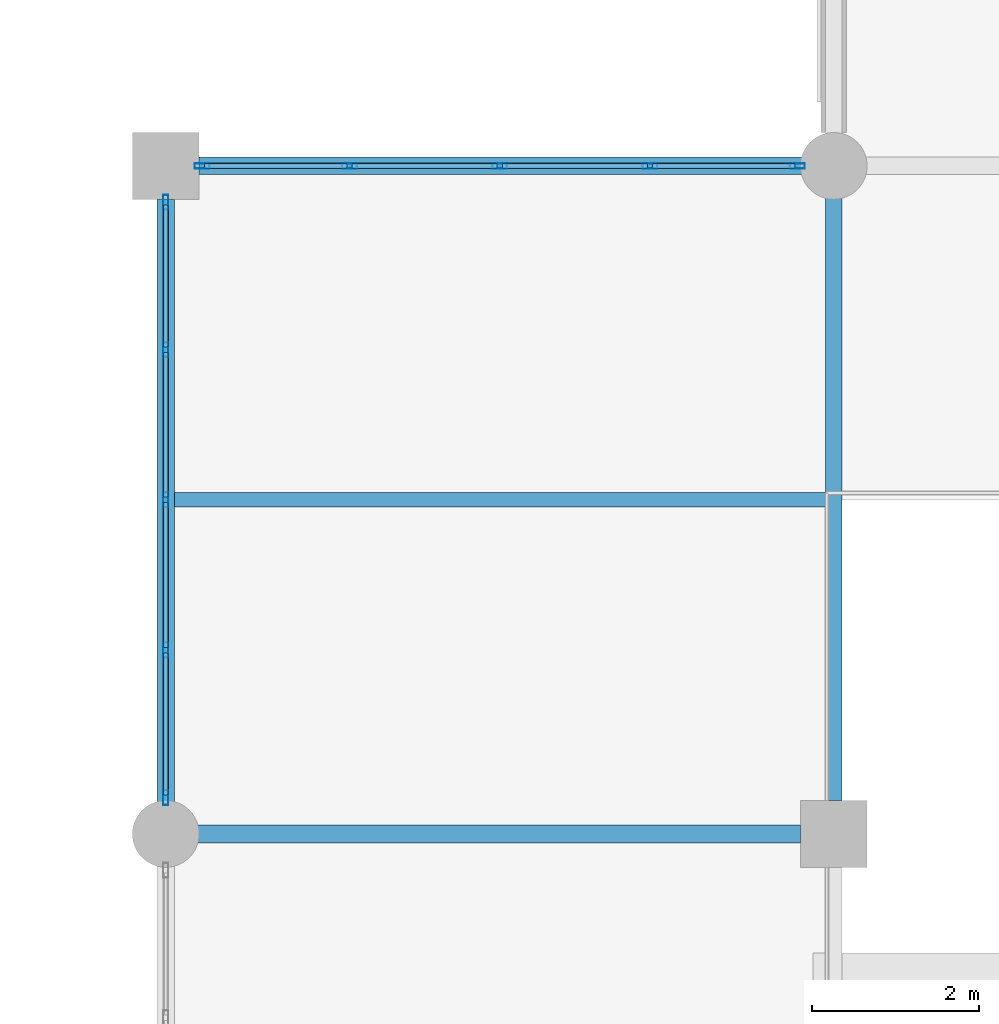
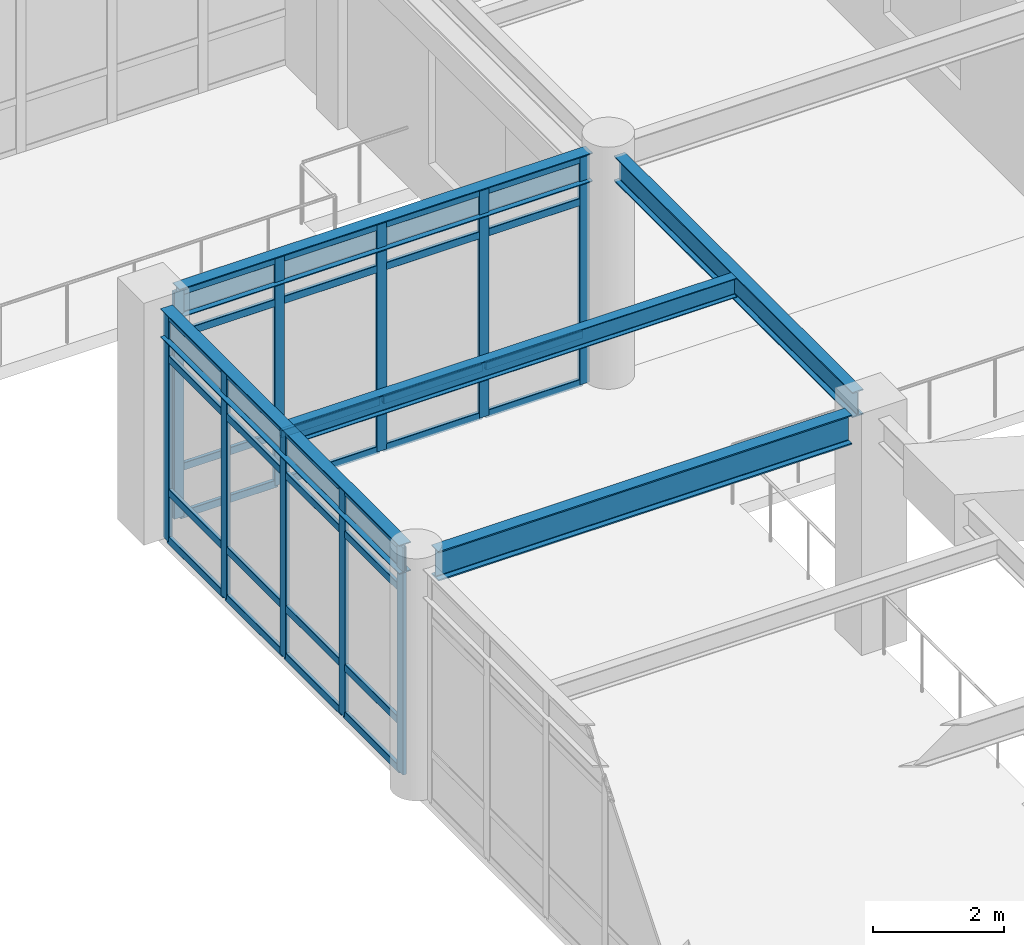
# One storey, part 42 of 111: 42 members, 5 beams, 2 elements without a shape of their own.
"""IFC4 building model written with IfcOpenShell, lengths in metres."""

from ifc_helpers import new_model, si_unit, direction, frame, origin, origin_2d, place, context, subcontext, project, spatial, hollow_rectangle, i_section, extrude, material, material_profile, profile_set, type_object, element, aggregate, save


model = new_model("IFC4")

# Units and contexts
model_context = context("Model", 3, precision=1e-05, world=origin(), true_north=direction((0.0, 1.0)))
body_context = subcontext(model_context, "Body", "Model", "MODEL_VIEW")
ifc_project = project(units=[si_unit("LENGTHUNIT", "METRE"), si_unit("AREAUNIT", "SQUARE_METRE"), si_unit("VOLUMEUNIT", "CUBIC_METRE"), si_unit("PLANEANGLEUNIT", "RADIAN"), si_unit("MASSUNIT", "GRAM", prefix="KILO")], contexts=[model_context])

# Site, building, storey
site_placement = place(None, origin())
site = spatial("IfcSite", under=ifc_project, at=site_placement, CompositionType="ELEMENT")
building_placement = place(site_placement, origin())
building = spatial("IfcBuilding", under=site, at=building_placement, Name="Solmirada Galleria", CompositionType="ELEMENT")
storey_placement = place(building_placement, frame((0.0, 0.0, 10.39990234375)))
storey = spatial("IfcBuildingStorey", under=building, at=storey_placement, Name="L02", CompositionType="ELEMENT", Elevation=10.39990234375)

# Beams
ifc_material_1 = material(Name="Steel S355 / ASTM A992 Grade 50", Category="steel")
ifc_material_profile_1 = material_profile(ifc_material_1, i_section(OverallWidth=0.194091796875, OverallDepth=0.468994140625, WebThickness=0.0126953125, FlangeThickness=0.0205078125, FilletRadius=0.013916015625, at=origin_2d()), Name="W18X71")
ifc_profile_set_1 = profile_set([ifc_material_profile_1], Name="Steel S355 / ASTM A992 Grade 50")
beam_type_1 = type_object("IfcBeamType", Name="BM-GIRD-W18B", PredefinedType="BEAM", material=ifc_profile_set_1)
beam_1_placement = place(storey_placement, frame((88.0, 64.39990234375, 4.065673828125), z_axis=(0.0, 1.0, 0.0), x_axis=(-1.0, 0.0, 0.0)))
element("IfcBeam", 1, at=beam_1_placement, inside=storey, type_object=beam_type_1, Name="Primary girder L03 Y(88, 64..72)", PredefinedType="BEAM", context=body_context, shape_type="SweptSolid", body=[
    extrude(i_section(OverallWidth=0.194091796875, OverallDepth=0.468994140625, WebThickness=0.0126953125, FlangeThickness=0.0205078125, FilletRadius=0.013916015625, at=origin_2d()), origin(), (0.0, 0.0, 1.0), 7.26416015625),
])
ifc_material_profile_2 = material_profile(ifc_material_1, i_section(OverallWidth=0.214111328125, OverallDepth=0.549072265625, WebThickness=0.0146484375, FlangeThickness=0.023681640625, FilletRadius=0.014892578125, at=origin_2d()), Name="W21X93")
ifc_profile_set_2 = profile_set([ifc_material_profile_2], Name="Steel S355 / ASTM A992 Grade 50")
beam_type_2 = type_object("IfcBeamType", Name="BM-GIRD-W21A", PredefinedType="BEAM", material=ifc_profile_set_2)
beam_2_placement = place(storey_placement, frame((80.3359375, 64.0, 4.025634765625), z_axis=(1.0, 0.0, 0.0), x_axis=(0.0, 1.0, 0.0)))
element("IfcBeam", 2, at=beam_2_placement, inside=storey, type_object=beam_type_2, Name="Primary beam L03 X(80..88, 64)", PredefinedType="BEAM", context=body_context, shape_type="SweptSolid", body=[
    extrude(i_section(OverallWidth=0.214111328125, OverallDepth=0.549072265625, WebThickness=0.0146484375, FlangeThickness=0.023681640625, FilletRadius=0.014892578125, at=origin_2d()), origin(), (0.0, 0.0, 1.0), 7.26416015625),
])
ifc_material_profile_3 = material_profile(ifc_material_1, i_section(OverallWidth=0.2099609375, OverallDepth=0.537109375, WebThickness=0.010986328125, FlangeThickness=0.017333984375, FilletRadius=0.014892578125, at=origin_2d()), Name="W21X68")
ifc_profile_set_3 = profile_set([ifc_material_profile_3], Name="Steel S355 / ASTM A992 Grade 50")
beam_type_3 = type_object("IfcBeamType", Name="BM-GIRD-W21B", PredefinedType="BEAM", material=ifc_profile_set_3)
for number, where, z_axis, x_axis, name in (
    (3, (80.39990234375, 72.0, 4.031494140625), (1.0, 0.0, 0.0), (0.0, 1.0, 0.0), "Primary beam L03 X(80..88, 72)"),
    (4, (80.0, 64.3359375, 4.031494140625), (0.0, 1.0, 0.0), (-1.0, 0.0, 0.0), "Primary girder L03 Y(80, 64..72)"),
):
    element("IfcBeam", number, at=place(storey_placement, frame(where, z_axis=z_axis, x_axis=x_axis)), inside=storey, type_object=beam_type_3, Name=name, PredefinedType="BEAM", context=body_context, shape_type="SweptSolid", body=[
        extrude(i_section(OverallWidth=0.2099609375, OverallDepth=0.537109375, WebThickness=0.010986328125, FlangeThickness=0.017333984375, FilletRadius=0.014892578125, at=origin_2d()), origin(), (0.0, 0.0, 1.0), 7.26416015625),
    ])
ifc_material_profile_4 = material_profile(ifc_material_1, i_section(OverallWidth=0.172119140625, OverallDepth=0.35791015625, WebThickness=0.0078125, FlangeThickness=0.01318359375, FilletRadius=0.011962890625, at=origin_2d()), Name="W14X38")
ifc_profile_set_4 = profile_set([ifc_material_profile_4], Name="Steel S355 / ASTM A992 Grade 50")
beam_type_4 = type_object("IfcBeamType", Name="BM-JST-W14A", PredefinedType="JOIST", material=ifc_profile_set_4)
beam_3_placement = place(storey_placement, frame((80.10498046875, 68.0, 4.12109375), z_axis=(1.0, 0.0, 0.0), x_axis=(0.0, 1.0, 0.0)))
element("IfcBeam", 5, at=beam_3_placement, inside=storey, type_object=beam_type_4, Name="Composite floor joist L03 (80..88, 68.0)", PredefinedType="JOIST", context=body_context, shape_type="SweptSolid", body=[
    extrude(i_section(OverallWidth=0.172119140625, OverallDepth=0.35791015625, WebThickness=0.0078125, FlangeThickness=0.01318359375, FilletRadius=0.011962890625, at=origin_2d()), origin(), (0.0, 0.0, 1.0), 7.798095703125),
])

# Curtain wall, members
ifc_material_2 = material(Name="Impact-resistant low-E double glazing", Category="glass")
curtain_wall_type = type_object("IfcCurtainWallType", Name="CW-FZ3-L02-B4-L072", PredefinedType="NOTDEFINED", material=ifc_material_2)
curtain_wall_1_placement = place(storey_placement, origin())
curtain_wall_1 = element("IfcCurtainWall", 6, at=curtain_wall_1_placement, inside=storey, type_object=curtain_wall_type, Name="Terrace and arcade storefront CW-L02-086", PredefinedType="NOTDEFINED")
ifc_material_3 = material(Name="Anodised aluminium framing", Category="aluminium")
ifc_material_profile_5 = material_profile(ifc_material_3, hollow_rectangle(XDim=0.06494140625, YDim=0.179931640625, WallThickness=0.00390625, InnerFilletRadius=0.00390625, OuterFilletRadius=0.008056640625, at=origin_2d()), Name="ALU-MULL-180X65")
ifc_profile_set_5 = profile_set([ifc_material_profile_5], Name="Anodised aluminium framing")
member_type_1 = type_object("IfcMemberType", Name="CW-MULL-180", PredefinedType="MULLION", material=ifc_profile_set_5)
member_1_placement = place(storey_placement, frame((80.0, 64.4345703125, 0.0), z_axis=(0.0, 0.0, 1.0), x_axis=(-1.0, 0.0, 0.0)))
member_1 = element("IfcMember", 7, at=member_1_placement, type_object=member_type_1, Name="CW21 mullion 1", PredefinedType="MULLION", context=body_context, shape_type="SweptSolid", body=[
    extrude(hollow_rectangle(XDim=0.06494140625, YDim=0.179931640625, WallThickness=0.00390625, InnerFilletRadius=0.00390625, OuterFilletRadius=0.008056640625, at=origin_2d()), origin(), (0.0, 0.0, 1.0), 4.22021484375),
])
member_2_placement = place(storey_placement, frame((80.0, 66.200927734375, 0.0), z_axis=(0.0, 0.0, 1.0), x_axis=(-1.0, 0.0, 0.0)))
member_2 = element("IfcMember", 8, at=member_2_placement, type_object=member_type_1, Name="CW21 mullion 2", PredefinedType="MULLION", context=body_context, shape_type="SweptSolid", body=[
    extrude(hollow_rectangle(XDim=0.06494140625, YDim=0.179931640625, WallThickness=0.00390625, InnerFilletRadius=0.00390625, OuterFilletRadius=0.008056640625, at=origin_2d()), origin(), (0.0, 0.0, 1.0), 4.22021484375),
])
member_3_placement = place(storey_placement, frame((80.0, 68.0, 0.0), z_axis=(0.0, 0.0, 1.0), x_axis=(-1.0, 0.0, 0.0)))
member_3 = element("IfcMember", 9, at=member_3_placement, type_object=member_type_1, Name="CW21 mullion 3", PredefinedType="MULLION", context=body_context, shape_type="SweptSolid", body=[
    extrude(hollow_rectangle(XDim=0.06494140625, YDim=0.179931640625, WallThickness=0.00390625, InnerFilletRadius=0.00390625, OuterFilletRadius=0.008056640625, at=origin_2d()), origin(), (0.0, 0.0, 1.0), 4.22021484375),
])
member_4_placement = place(storey_placement, frame((80.0, 69.799072265625, 0.0), z_axis=(0.0, 0.0, 1.0), x_axis=(-1.0, 0.0, 0.0)))
member_4 = element("IfcMember", 10, at=member_4_placement, type_object=member_type_1, Name="CW21 mullion 4", PredefinedType="MULLION", context=body_context, shape_type="SweptSolid", body=[
    extrude(hollow_rectangle(XDim=0.06494140625, YDim=0.179931640625, WallThickness=0.00390625, InnerFilletRadius=0.00390625, OuterFilletRadius=0.008056640625, at=origin_2d()), origin(), (0.0, 0.0, 1.0), 4.22021484375),
])
member_5_placement = place(storey_placement, frame((80.0, 71.5654296875, 0.0), z_axis=(0.0, 0.0, 1.0), x_axis=(-1.0, 0.0, 0.0)))
member_5 = element("IfcMember", 11, at=member_5_placement, type_object=member_type_1, Name="CW21 mullion 5", PredefinedType="MULLION", context=body_context, shape_type="SweptSolid", body=[
    extrude(hollow_rectangle(XDim=0.06494140625, YDim=0.179931640625, WallThickness=0.00390625, InnerFilletRadius=0.00390625, OuterFilletRadius=0.008056640625, at=origin_2d()), origin(), (0.0, 0.0, 1.0), 4.22021484375),
])

curtain_wall_2_placement = place(storey_placement, origin())
curtain_wall_2 = element("IfcCurtainWall", 12, at=curtain_wall_2_placement, inside=storey, type_object=curtain_wall_type, Name="Terrace and arcade storefront CW-L02-087", PredefinedType="NOTDEFINED")
member_6_placement = place(storey_placement, frame((80.4345703125, 72.0, 0.0), z_axis=(0.0, 0.0, 1.0), x_axis=(0.0, 1.0, 0.0)))
member_6 = element("IfcMember", 13, at=member_6_placement, type_object=member_type_1, Name="CW21 mullion 1", PredefinedType="MULLION", context=body_context, shape_type="SweptSolid", body=[
    extrude(hollow_rectangle(XDim=0.06494140625, YDim=0.179931640625, WallThickness=0.00390625, InnerFilletRadius=0.00390625, OuterFilletRadius=0.008056640625, at=origin_2d()), origin(), (0.0, 0.0, 1.0), 4.22021484375),
])
member_7_placement = place(storey_placement, frame((82.200927734375, 72.0, 0.0), z_axis=(0.0, 0.0, 1.0), x_axis=(0.0, 1.0, 0.0)))
member_7 = element("IfcMember", 14, at=member_7_placement, type_object=member_type_1, Name="CW21 mullion 2", PredefinedType="MULLION", context=body_context, shape_type="SweptSolid", body=[
    extrude(hollow_rectangle(XDim=0.06494140625, YDim=0.179931640625, WallThickness=0.00390625, InnerFilletRadius=0.00390625, OuterFilletRadius=0.008056640625, at=origin_2d()), origin(), (0.0, 0.0, 1.0), 4.22021484375),
])
member_8_placement = place(storey_placement, frame((84.0, 72.0, 0.0), z_axis=(0.0, 0.0, 1.0), x_axis=(0.0, 1.0, 0.0)))
member_8 = element("IfcMember", 15, at=member_8_placement, type_object=member_type_1, Name="CW21 mullion 3", PredefinedType="MULLION", context=body_context, shape_type="SweptSolid", body=[
    extrude(hollow_rectangle(XDim=0.06494140625, YDim=0.179931640625, WallThickness=0.00390625, InnerFilletRadius=0.00390625, OuterFilletRadius=0.008056640625, at=origin_2d()), origin(), (0.0, 0.0, 1.0), 4.22021484375),
])
member_9_placement = place(storey_placement, frame((85.799072265625, 72.0, 0.0), z_axis=(0.0, 0.0, 1.0), x_axis=(0.0, 1.0, 0.0)))
member_9 = element("IfcMember", 16, at=member_9_placement, type_object=member_type_1, Name="CW21 mullion 4", PredefinedType="MULLION", context=body_context, shape_type="SweptSolid", body=[
    extrude(hollow_rectangle(XDim=0.06494140625, YDim=0.179931640625, WallThickness=0.00390625, InnerFilletRadius=0.00390625, OuterFilletRadius=0.008056640625, at=origin_2d()), origin(), (0.0, 0.0, 1.0), 4.22021484375),
])
member_10_placement = place(storey_placement, frame((87.5654296875, 72.0, 0.0), z_axis=(0.0, 0.0, 1.0), x_axis=(0.0, 1.0, 0.0)))
member_10 = element("IfcMember", 17, at=member_10_placement, type_object=member_type_1, Name="CW21 mullion 5", PredefinedType="MULLION", context=body_context, shape_type="SweptSolid", body=[
    extrude(hollow_rectangle(XDim=0.06494140625, YDim=0.179931640625, WallThickness=0.00390625, InnerFilletRadius=0.00390625, OuterFilletRadius=0.008056640625, at=origin_2d()), origin(), (0.0, 0.0, 1.0), 4.22021484375),
])

# Member
ifc_material_profile_6 = material_profile(ifc_material_3, hollow_rectangle(XDim=0.06494140625, YDim=0.139892578125, WallThickness=0.00341796875, InnerFilletRadius=0.00341796875, OuterFilletRadius=0.007080078125, at=origin_2d()), Name="ALU-TRAN-140X65")
ifc_profile_set_6 = profile_set([ifc_material_profile_6], Name="Anodised aluminium framing")
member_type_2 = type_object("IfcMemberType", Name="CW-TRAN-140", PredefinedType="USERDEFINED", material=ifc_profile_set_6)
member_11_placement = place(storey_placement, frame((80.0, 64.467041015625, 0.03271484375), z_axis=(0.0, 1.0, 0.0), x_axis=(-1.0, 0.0, 0.0)))
member_11 = element("IfcMember", 18, at=member_11_placement, type_object=member_type_2, Name="CW21 transom 1.1", ObjectType="TRANSOM", PredefinedType="USERDEFINED", context=body_context, shape_type="SweptSolid", body=[
    extrude(hollow_rectangle(XDim=0.06494140625, YDim=0.139892578125, WallThickness=0.00341796875, InnerFilletRadius=0.00341796875, OuterFilletRadius=0.007080078125, at=origin_2d()), origin(), (0.0, 0.0, 1.0), 1.701416015625),
])

member_12_placement = place(storey_placement, frame((80.0, 64.467041015625, 0.920166015625), z_axis=(0.0, 1.0, 0.0), x_axis=(-1.0, 0.0, 0.0)))
member_12 = element("IfcMember", 19, at=member_12_placement, type_object=member_type_2, Name="CW21 transom 1.2", ObjectType="TRANSOM", PredefinedType="USERDEFINED", context=body_context, shape_type="SweptSolid", body=[
    extrude(hollow_rectangle(XDim=0.06494140625, YDim=0.139892578125, WallThickness=0.00341796875, InnerFilletRadius=0.00341796875, OuterFilletRadius=0.007080078125, at=origin_2d()), origin(), (0.0, 0.0, 1.0), 1.701416015625),
])

member_13_placement = place(storey_placement, frame((80.0, 64.467041015625, 3.400146484375), z_axis=(0.0, 1.0, 0.0), x_axis=(-1.0, 0.0, 0.0)))
member_13 = element("IfcMember", 20, at=member_13_placement, type_object=member_type_2, Name="CW21 transom 1.3", ObjectType="TRANSOM", PredefinedType="USERDEFINED", context=body_context, shape_type="SweptSolid", body=[
    extrude(hollow_rectangle(XDim=0.06494140625, YDim=0.139892578125, WallThickness=0.00341796875, InnerFilletRadius=0.00341796875, OuterFilletRadius=0.007080078125, at=origin_2d()), origin(), (0.0, 0.0, 1.0), 1.701416015625),
])

member_14_placement = place(storey_placement, frame((80.0, 64.467041015625, 4.1875), z_axis=(0.0, 1.0, 0.0), x_axis=(-1.0, 0.0, 0.0)))
member_14 = element("IfcMember", 21, at=member_14_placement, type_object=member_type_2, Name="CW21 transom 1.4", ObjectType="TRANSOM", PredefinedType="USERDEFINED", context=body_context, shape_type="SweptSolid", body=[
    extrude(hollow_rectangle(XDim=0.06494140625, YDim=0.139892578125, WallThickness=0.00341796875, InnerFilletRadius=0.00341796875, OuterFilletRadius=0.007080078125, at=origin_2d()), origin(), (0.0, 0.0, 1.0), 1.701416015625),
])

member_15_placement = place(storey_placement, frame((80.0, 66.2333984375, 0.03271484375), z_axis=(0.0, 1.0, 0.0), x_axis=(-1.0, 0.0, 0.0)))
member_15 = element("IfcMember", 22, at=member_15_placement, type_object=member_type_2, Name="CW21 transom 2.1", ObjectType="TRANSOM", PredefinedType="USERDEFINED", context=body_context, shape_type="SweptSolid", body=[
    extrude(hollow_rectangle(XDim=0.06494140625, YDim=0.139892578125, WallThickness=0.00341796875, InnerFilletRadius=0.00341796875, OuterFilletRadius=0.007080078125, at=origin_2d()), origin(), (0.0, 0.0, 1.0), 1.734130859375),
])

member_16_placement = place(storey_placement, frame((80.0, 66.2333984375, 0.920166015625), z_axis=(0.0, 1.0, 0.0), x_axis=(-1.0, 0.0, 0.0)))
member_16 = element("IfcMember", 23, at=member_16_placement, type_object=member_type_2, Name="CW21 transom 2.2", ObjectType="TRANSOM", PredefinedType="USERDEFINED", context=body_context, shape_type="SweptSolid", body=[
    extrude(hollow_rectangle(XDim=0.06494140625, YDim=0.139892578125, WallThickness=0.00341796875, InnerFilletRadius=0.00341796875, OuterFilletRadius=0.007080078125, at=origin_2d()), origin(), (0.0, 0.0, 1.0), 1.734130859375),
])

member_17_placement = place(storey_placement, frame((80.0, 66.2333984375, 3.400146484375), z_axis=(0.0, 1.0, 0.0), x_axis=(-1.0, 0.0, 0.0)))
member_17 = element("IfcMember", 24, at=member_17_placement, type_object=member_type_2, Name="CW21 transom 2.3", ObjectType="TRANSOM", PredefinedType="USERDEFINED", context=body_context, shape_type="SweptSolid", body=[
    extrude(hollow_rectangle(XDim=0.06494140625, YDim=0.139892578125, WallThickness=0.00341796875, InnerFilletRadius=0.00341796875, OuterFilletRadius=0.007080078125, at=origin_2d()), origin(), (0.0, 0.0, 1.0), 1.734130859375),
])

member_18_placement = place(storey_placement, frame((80.0, 66.2333984375, 4.1875), z_axis=(0.0, 1.0, 0.0), x_axis=(-1.0, 0.0, 0.0)))
member_18 = element("IfcMember", 25, at=member_18_placement, type_object=member_type_2, Name="CW21 transom 2.4", ObjectType="TRANSOM", PredefinedType="USERDEFINED", context=body_context, shape_type="SweptSolid", body=[
    extrude(hollow_rectangle(XDim=0.06494140625, YDim=0.139892578125, WallThickness=0.00341796875, InnerFilletRadius=0.00341796875, OuterFilletRadius=0.007080078125, at=origin_2d()), origin(), (0.0, 0.0, 1.0), 1.734130859375),
])

member_19_placement = place(storey_placement, frame((80.0, 68.032470703125, 0.03271484375), z_axis=(0.0, 1.0, 0.0), x_axis=(-1.0, 0.0, 0.0)))
member_19 = element("IfcMember", 26, at=member_19_placement, type_object=member_type_2, Name="CW21 transom 3.1", ObjectType="TRANSOM", PredefinedType="USERDEFINED", context=body_context, shape_type="SweptSolid", body=[
    extrude(hollow_rectangle(XDim=0.06494140625, YDim=0.139892578125, WallThickness=0.00341796875, InnerFilletRadius=0.00341796875, OuterFilletRadius=0.007080078125, at=origin_2d()), origin(), (0.0, 0.0, 1.0), 1.734130859375),
])

member_20_placement = place(storey_placement, frame((80.0, 68.032470703125, 0.920166015625), z_axis=(0.0, 1.0, 0.0), x_axis=(-1.0, 0.0, 0.0)))
member_20 = element("IfcMember", 27, at=member_20_placement, type_object=member_type_2, Name="CW21 transom 3.2", ObjectType="TRANSOM", PredefinedType="USERDEFINED", context=body_context, shape_type="SweptSolid", body=[
    extrude(hollow_rectangle(XDim=0.06494140625, YDim=0.139892578125, WallThickness=0.00341796875, InnerFilletRadius=0.00341796875, OuterFilletRadius=0.007080078125, at=origin_2d()), origin(), (0.0, 0.0, 1.0), 1.734130859375),
])

member_21_placement = place(storey_placement, frame((80.0, 68.032470703125, 3.400146484375), z_axis=(0.0, 1.0, 0.0), x_axis=(-1.0, 0.0, 0.0)))
member_21 = element("IfcMember", 28, at=member_21_placement, type_object=member_type_2, Name="CW21 transom 3.3", ObjectType="TRANSOM", PredefinedType="USERDEFINED", context=body_context, shape_type="SweptSolid", body=[
    extrude(hollow_rectangle(XDim=0.06494140625, YDim=0.139892578125, WallThickness=0.00341796875, InnerFilletRadius=0.00341796875, OuterFilletRadius=0.007080078125, at=origin_2d()), origin(), (0.0, 0.0, 1.0), 1.734130859375),
])

member_22_placement = place(storey_placement, frame((80.0, 68.032470703125, 4.1875), z_axis=(0.0, 1.0, 0.0), x_axis=(-1.0, 0.0, 0.0)))
member_22 = element("IfcMember", 29, at=member_22_placement, type_object=member_type_2, Name="CW21 transom 3.4", ObjectType="TRANSOM", PredefinedType="USERDEFINED", context=body_context, shape_type="SweptSolid", body=[
    extrude(hollow_rectangle(XDim=0.06494140625, YDim=0.139892578125, WallThickness=0.00341796875, InnerFilletRadius=0.00341796875, OuterFilletRadius=0.007080078125, at=origin_2d()), origin(), (0.0, 0.0, 1.0), 1.734130859375),
])

member_23_placement = place(storey_placement, frame((80.0, 69.83154296875, 0.03271484375), z_axis=(0.0, 1.0, 0.0), x_axis=(-1.0, 0.0, 0.0)))
member_23 = element("IfcMember", 30, at=member_23_placement, type_object=member_type_2, Name="CW21 transom 4.1", ObjectType="TRANSOM", PredefinedType="USERDEFINED", context=body_context, shape_type="SweptSolid", body=[
    extrude(hollow_rectangle(XDim=0.06494140625, YDim=0.139892578125, WallThickness=0.00341796875, InnerFilletRadius=0.00341796875, OuterFilletRadius=0.007080078125, at=origin_2d()), origin(), (0.0, 0.0, 1.0), 1.701416015625),
])

member_24_placement = place(storey_placement, frame((80.0, 69.83154296875, 0.920166015625), z_axis=(0.0, 1.0, 0.0), x_axis=(-1.0, 0.0, 0.0)))
member_24 = element("IfcMember", 31, at=member_24_placement, type_object=member_type_2, Name="CW21 transom 4.2", ObjectType="TRANSOM", PredefinedType="USERDEFINED", context=body_context, shape_type="SweptSolid", body=[
    extrude(hollow_rectangle(XDim=0.06494140625, YDim=0.139892578125, WallThickness=0.00341796875, InnerFilletRadius=0.00341796875, OuterFilletRadius=0.007080078125, at=origin_2d()), origin(), (0.0, 0.0, 1.0), 1.701416015625),
])

member_25_placement = place(storey_placement, frame((80.0, 69.83154296875, 3.400146484375), z_axis=(0.0, 1.0, 0.0), x_axis=(-1.0, 0.0, 0.0)))
member_25 = element("IfcMember", 32, at=member_25_placement, type_object=member_type_2, Name="CW21 transom 4.3", ObjectType="TRANSOM", PredefinedType="USERDEFINED", context=body_context, shape_type="SweptSolid", body=[
    extrude(hollow_rectangle(XDim=0.06494140625, YDim=0.139892578125, WallThickness=0.00341796875, InnerFilletRadius=0.00341796875, OuterFilletRadius=0.007080078125, at=origin_2d()), origin(), (0.0, 0.0, 1.0), 1.701416015625),
])

member_26_placement = place(storey_placement, frame((80.0, 69.83154296875, 4.1875), z_axis=(0.0, 1.0, 0.0), x_axis=(-1.0, 0.0, 0.0)))
member_26 = element("IfcMember", 33, at=member_26_placement, type_object=member_type_2, Name="CW21 transom 4.4", ObjectType="TRANSOM", PredefinedType="USERDEFINED", context=body_context, shape_type="SweptSolid", body=[
    extrude(hollow_rectangle(XDim=0.06494140625, YDim=0.139892578125, WallThickness=0.00341796875, InnerFilletRadius=0.00341796875, OuterFilletRadius=0.007080078125, at=origin_2d()), origin(), (0.0, 0.0, 1.0), 1.701416015625),
])

aggregate(curtain_wall_1, [member_1, member_2, member_3, member_4, member_5, member_11, member_12, member_13, member_14, member_15, member_16, member_17, member_18, member_19, member_20, member_21, member_22, member_23, member_24, member_25, member_26])

member_27_placement = place(storey_placement, frame((80.467041015625, 72.0, 0.03271484375), z_axis=(1.0, 0.0, 0.0), x_axis=(0.0, 1.0, 0.0)))
member_27 = element("IfcMember", 34, at=member_27_placement, type_object=member_type_2, Name="CW21 transom 1.1", ObjectType="TRANSOM", PredefinedType="USERDEFINED", context=body_context, shape_type="SweptSolid", body=[
    extrude(hollow_rectangle(XDim=0.06494140625, YDim=0.139892578125, WallThickness=0.00341796875, InnerFilletRadius=0.00341796875, OuterFilletRadius=0.007080078125, at=origin_2d()), origin(), (0.0, 0.0, 1.0), 1.701416015625),
])

member_28_placement = place(storey_placement, frame((80.467041015625, 72.0, 0.920166015625), z_axis=(1.0, 0.0, 0.0), x_axis=(0.0, 1.0, 0.0)))
member_28 = element("IfcMember", 35, at=member_28_placement, type_object=member_type_2, Name="CW21 transom 1.2", ObjectType="TRANSOM", PredefinedType="USERDEFINED", context=body_context, shape_type="SweptSolid", body=[
    extrude(hollow_rectangle(XDim=0.06494140625, YDim=0.139892578125, WallThickness=0.00341796875, InnerFilletRadius=0.00341796875, OuterFilletRadius=0.007080078125, at=origin_2d()), origin(), (0.0, 0.0, 1.0), 1.701416015625),
])

member_29_placement = place(storey_placement, frame((80.467041015625, 72.0, 3.400146484375), z_axis=(1.0, 0.0, 0.0), x_axis=(0.0, 1.0, 0.0)))
member_29 = element("IfcMember", 36, at=member_29_placement, type_object=member_type_2, Name="CW21 transom 1.3", ObjectType="TRANSOM", PredefinedType="USERDEFINED", context=body_context, shape_type="SweptSolid", body=[
    extrude(hollow_rectangle(XDim=0.06494140625, YDim=0.139892578125, WallThickness=0.00341796875, InnerFilletRadius=0.00341796875, OuterFilletRadius=0.007080078125, at=origin_2d()), origin(), (0.0, 0.0, 1.0), 1.701416015625),
])

member_30_placement = place(storey_placement, frame((80.467041015625, 72.0, 4.1875), z_axis=(1.0, 0.0, 0.0), x_axis=(0.0, 1.0, 0.0)))
member_30 = element("IfcMember", 37, at=member_30_placement, type_object=member_type_2, Name="CW21 transom 1.4", ObjectType="TRANSOM", PredefinedType="USERDEFINED", context=body_context, shape_type="SweptSolid", body=[
    extrude(hollow_rectangle(XDim=0.06494140625, YDim=0.139892578125, WallThickness=0.00341796875, InnerFilletRadius=0.00341796875, OuterFilletRadius=0.007080078125, at=origin_2d()), origin(), (0.0, 0.0, 1.0), 1.701416015625),
])

member_31_placement = place(storey_placement, frame((82.2333984375, 72.0, 0.03271484375), z_axis=(1.0, 0.0, 0.0), x_axis=(0.0, 1.0, 0.0)))
member_31 = element("IfcMember", 38, at=member_31_placement, type_object=member_type_2, Name="CW21 transom 2.1", ObjectType="TRANSOM", PredefinedType="USERDEFINED", context=body_context, shape_type="SweptSolid", body=[
    extrude(hollow_rectangle(XDim=0.06494140625, YDim=0.139892578125, WallThickness=0.00341796875, InnerFilletRadius=0.00341796875, OuterFilletRadius=0.007080078125, at=origin_2d()), origin(), (0.0, 0.0, 1.0), 1.734130859375),
])

member_32_placement = place(storey_placement, frame((82.2333984375, 72.0, 0.920166015625), z_axis=(1.0, 0.0, 0.0), x_axis=(0.0, 1.0, 0.0)))
member_32 = element("IfcMember", 39, at=member_32_placement, type_object=member_type_2, Name="CW21 transom 2.2", ObjectType="TRANSOM", PredefinedType="USERDEFINED", context=body_context, shape_type="SweptSolid", body=[
    extrude(hollow_rectangle(XDim=0.06494140625, YDim=0.139892578125, WallThickness=0.00341796875, InnerFilletRadius=0.00341796875, OuterFilletRadius=0.007080078125, at=origin_2d()), origin(), (0.0, 0.0, 1.0), 1.734130859375),
])

member_33_placement = place(storey_placement, frame((82.2333984375, 72.0, 3.400146484375), z_axis=(1.0, 0.0, 0.0), x_axis=(0.0, 1.0, 0.0)))
member_33 = element("IfcMember", 40, at=member_33_placement, type_object=member_type_2, Name="CW21 transom 2.3", ObjectType="TRANSOM", PredefinedType="USERDEFINED", context=body_context, shape_type="SweptSolid", body=[
    extrude(hollow_rectangle(XDim=0.06494140625, YDim=0.139892578125, WallThickness=0.00341796875, InnerFilletRadius=0.00341796875, OuterFilletRadius=0.007080078125, at=origin_2d()), origin(), (0.0, 0.0, 1.0), 1.734130859375),
])

member_34_placement = place(storey_placement, frame((82.2333984375, 72.0, 4.1875), z_axis=(1.0, 0.0, 0.0), x_axis=(0.0, 1.0, 0.0)))
member_34 = element("IfcMember", 41, at=member_34_placement, type_object=member_type_2, Name="CW21 transom 2.4", ObjectType="TRANSOM", PredefinedType="USERDEFINED", context=body_context, shape_type="SweptSolid", body=[
    extrude(hollow_rectangle(XDim=0.06494140625, YDim=0.139892578125, WallThickness=0.00341796875, InnerFilletRadius=0.00341796875, OuterFilletRadius=0.007080078125, at=origin_2d()), origin(), (0.0, 0.0, 1.0), 1.734130859375),
])

member_35_placement = place(storey_placement, frame((84.032470703125, 72.0, 0.03271484375), z_axis=(1.0, 0.0, 0.0), x_axis=(0.0, 1.0, 0.0)))
member_35 = element("IfcMember", 42, at=member_35_placement, type_object=member_type_2, Name="CW21 transom 3.1", ObjectType="TRANSOM", PredefinedType="USERDEFINED", context=body_context, shape_type="SweptSolid", body=[
    extrude(hollow_rectangle(XDim=0.06494140625, YDim=0.139892578125, WallThickness=0.00341796875, InnerFilletRadius=0.00341796875, OuterFilletRadius=0.007080078125, at=origin_2d()), origin(), (0.0, 0.0, 1.0), 1.734130859375),
])

member_36_placement = place(storey_placement, frame((84.032470703125, 72.0, 0.920166015625), z_axis=(1.0, 0.0, 0.0), x_axis=(0.0, 1.0, 0.0)))
member_36 = element("IfcMember", 43, at=member_36_placement, type_object=member_type_2, Name="CW21 transom 3.2", ObjectType="TRANSOM", PredefinedType="USERDEFINED", context=body_context, shape_type="SweptSolid", body=[
    extrude(hollow_rectangle(XDim=0.06494140625, YDim=0.139892578125, WallThickness=0.00341796875, InnerFilletRadius=0.00341796875, OuterFilletRadius=0.007080078125, at=origin_2d()), origin(), (0.0, 0.0, 1.0), 1.734130859375),
])

member_37_placement = place(storey_placement, frame((84.032470703125, 72.0, 3.400146484375), z_axis=(1.0, 0.0, 0.0), x_axis=(0.0, 1.0, 0.0)))
member_37 = element("IfcMember", 44, at=member_37_placement, type_object=member_type_2, Name="CW21 transom 3.3", ObjectType="TRANSOM", PredefinedType="USERDEFINED", context=body_context, shape_type="SweptSolid", body=[
    extrude(hollow_rectangle(XDim=0.06494140625, YDim=0.139892578125, WallThickness=0.00341796875, InnerFilletRadius=0.00341796875, OuterFilletRadius=0.007080078125, at=origin_2d()), origin(), (0.0, 0.0, 1.0), 1.734130859375),
])

member_38_placement = place(storey_placement, frame((84.032470703125, 72.0, 4.1875), z_axis=(1.0, 0.0, 0.0), x_axis=(0.0, 1.0, 0.0)))
member_38 = element("IfcMember", 45, at=member_38_placement, type_object=member_type_2, Name="CW21 transom 3.4", ObjectType="TRANSOM", PredefinedType="USERDEFINED", context=body_context, shape_type="SweptSolid", body=[
    extrude(hollow_rectangle(XDim=0.06494140625, YDim=0.139892578125, WallThickness=0.00341796875, InnerFilletRadius=0.00341796875, OuterFilletRadius=0.007080078125, at=origin_2d()), origin(), (0.0, 0.0, 1.0), 1.734130859375),
])

member_39_placement = place(storey_placement, frame((85.83154296875, 72.0, 0.03271484375), z_axis=(1.0, 0.0, 0.0), x_axis=(0.0, 1.0, 0.0)))
member_39 = element("IfcMember", 46, at=member_39_placement, type_object=member_type_2, Name="CW21 transom 4.1", ObjectType="TRANSOM", PredefinedType="USERDEFINED", context=body_context, shape_type="SweptSolid", body=[
    extrude(hollow_rectangle(XDim=0.06494140625, YDim=0.139892578125, WallThickness=0.00341796875, InnerFilletRadius=0.00341796875, OuterFilletRadius=0.007080078125, at=origin_2d()), origin(), (0.0, 0.0, 1.0), 1.701416015625),
])

member_40_placement = place(storey_placement, frame((85.83154296875, 72.0, 0.920166015625), z_axis=(1.0, 0.0, 0.0), x_axis=(0.0, 1.0, 0.0)))
member_40 = element("IfcMember", 47, at=member_40_placement, type_object=member_type_2, Name="CW21 transom 4.2", ObjectType="TRANSOM", PredefinedType="USERDEFINED", context=body_context, shape_type="SweptSolid", body=[
    extrude(hollow_rectangle(XDim=0.06494140625, YDim=0.139892578125, WallThickness=0.00341796875, InnerFilletRadius=0.00341796875, OuterFilletRadius=0.007080078125, at=origin_2d()), origin(), (0.0, 0.0, 1.0), 1.701416015625),
])

member_41_placement = place(storey_placement, frame((85.83154296875, 72.0, 3.400146484375), z_axis=(1.0, 0.0, 0.0), x_axis=(0.0, 1.0, 0.0)))
member_41 = element("IfcMember", 48, at=member_41_placement, type_object=member_type_2, Name="CW21 transom 4.3", ObjectType="TRANSOM", PredefinedType="USERDEFINED", context=body_context, shape_type="SweptSolid", body=[
    extrude(hollow_rectangle(XDim=0.06494140625, YDim=0.139892578125, WallThickness=0.00341796875, InnerFilletRadius=0.00341796875, OuterFilletRadius=0.007080078125, at=origin_2d()), origin(), (0.0, 0.0, 1.0), 1.701416015625),
])

member_42_placement = place(storey_placement, frame((85.83154296875, 72.0, 4.1875), z_axis=(1.0, 0.0, 0.0), x_axis=(0.0, 1.0, 0.0)))
member_42 = element("IfcMember", 49, at=member_42_placement, type_object=member_type_2, Name="CW21 transom 4.4", ObjectType="TRANSOM", PredefinedType="USERDEFINED", context=body_context, shape_type="SweptSolid", body=[
    extrude(hollow_rectangle(XDim=0.06494140625, YDim=0.139892578125, WallThickness=0.00341796875, InnerFilletRadius=0.00341796875, OuterFilletRadius=0.007080078125, at=origin_2d()), origin(), (0.0, 0.0, 1.0), 1.701416015625),
])

aggregate(curtain_wall_2, [member_6, member_7, member_8, member_9, member_10, member_27, member_28, member_29, member_30, member_31, member_32, member_33, member_34, member_35, member_36, member_37, member_38, member_39, member_40, member_41, member_42])

save(model, "model.ifc")
